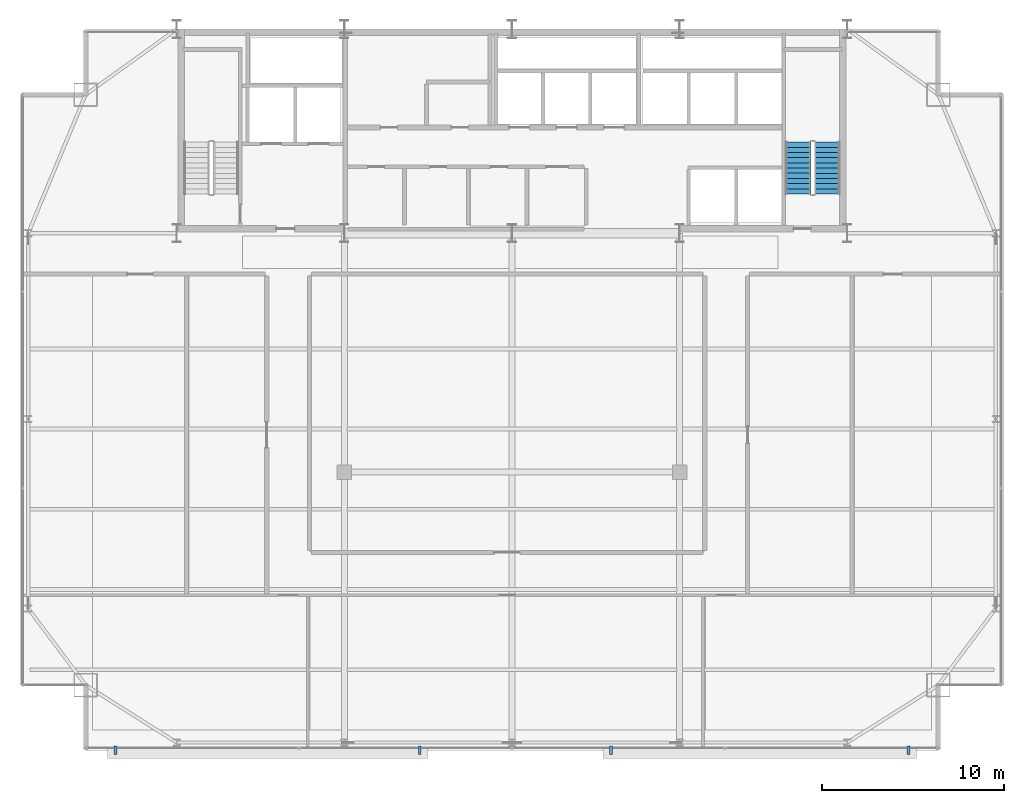
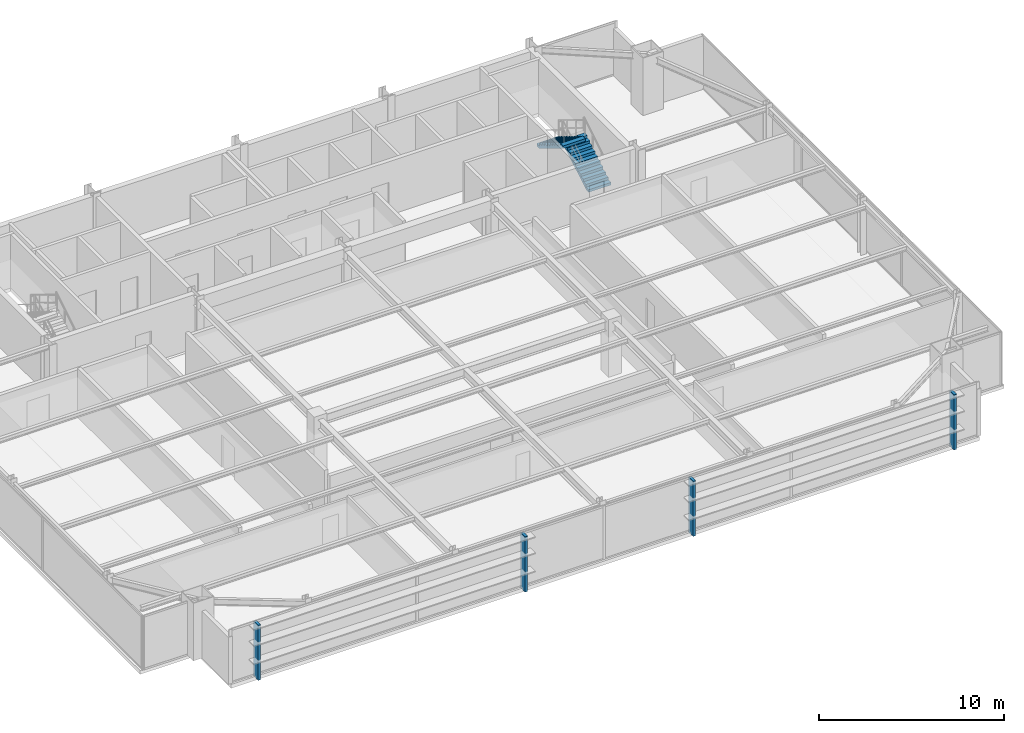
# One storey, part 27 of 29: 4 discrete accessories, 2 stair flights, 1 element without a shape of its own.
"""IFC4 building model written with IfcOpenShell, lengths in metres."""

from ifc_helpers import new_model, si_unit, direction, frame, origin, origin_2d, place, context, subcontext, project, spatial, polyline, rectangle, outline, extrude, source, transform, mapped, material, layer, layer_set, type_object, type_shapes, element, aggregate, save


model = new_model("IFC4")

# Units and contexts
model_context = context("Model", 3, precision=1e-05, world=origin(), true_north=direction((0.0, 1.0)))
body_context = subcontext(model_context, "Body", "Model", "MODEL_VIEW")
ifc_project = project(units=[si_unit("LENGTHUNIT", "METRE"), si_unit("AREAUNIT", "SQUARE_METRE"), si_unit("VOLUMEUNIT", "CUBIC_METRE"), si_unit("PLANEANGLEUNIT", "RADIAN"), si_unit("MASSUNIT", "GRAM", prefix="KILO")], contexts=[model_context])

# Site, building, storey
site_placement = place(None, origin())
site = spatial("IfcSite", under=ifc_project, at=site_placement, CompositionType="ELEMENT")
building_placement = place(site_placement, origin())
building = spatial("IfcBuilding", under=site, at=building_placement, Name="Varnel Quay Broadcast Tower", CompositionType="ELEMENT")
storey_placement = place(building_placement, frame((0.0, 0.0, 172.39990234375)))
storey = spatial("IfcBuildingStorey", under=building, at=storey_placement, Name="L42", CompositionType="ELEMENT", Elevation=172.39990234375)

# Stair, stair flights
ifc_material_1 = material(Name="Precast Structural Concrete C40/50", Category="concrete")
stair_type = type_object("IfcStairType", Name="Stair_ST-02", PredefinedType="HALF_TURN_STAIR", material=ifc_material_1)
stair_placement = place(storey_placement, origin())
stair = element("IfcStair", 1, at=stair_placement, inside=storey, type_object=stair_type, Name="L42 East Core Exit Stair 2", PredefinedType="HALF_TURN_STAIR")
stair_flight_type = type_object("IfcStairFlightType", Name="Flight_ST-02", PredefinedType="STRAIGHT", material=ifc_material_1)
stair_flight_1_placement = place(storey_placement, frame((51.300048828125, 37.75, 0.0), z_axis=(0.0, 0.0, 1.0), x_axis=(0.0, 1.0, 0.0)))
stair_flight_1 = element("IfcStairFlight", 2, at=stair_flight_1_placement, type_object=stair_flight_type, Name="ST-02 flight 1", NumberOfRisers=11, NumberOfTreads=10, PredefinedType="STRAIGHT", RiserHeight=0.172727273, TreadLength=0.285, context=body_context, shape_type="SweptSolid", body=[
    extrude(outline(polyline([(0.0, 0.0), (0.0, 0.172607421875), (0.284912109375, 0.172607421875), (0.284912109375, 0.345458984375), (0.570068359375, 0.345458984375), (0.570068359375, 0.51806640625), (0.85498046875, 0.51806640625), (0.85498046875, 0.69091796875), (1.139892578125, 0.69091796875), (1.139892578125, 0.863525390625), (1.425048828125, 0.863525390625), (1.425048828125, 1.036376953125), (1.7099609375, 1.036376953125), (1.7099609375, 1.208984375), (1.9951171875, 1.208984375), (1.9951171875, 1.3818359375), (2.280029296875, 1.3818359375), (2.280029296875, 1.554443359375), (2.56494140625, 1.554443359375), (2.56494140625, 1.727294921875), (2.85009765625, 1.727294921875), (2.85009765625, 1.89990234375), (2.85009765625, 1.552001953125), (0.289306640625, 0.0), (0.0, 0.0)])), frame((0.0, 0.699951171875, 0.0), z_axis=(0.0, -1.0, 0.0), x_axis=(1.0, 0.0, 0.0)), (0.0, 0.0, 1.0), 1.39990234375),
])
stair_flight_2_placement = place(storey_placement, frame((49.699951171875, 40.60009765625, 1.900146484375), z_axis=(0.0, 0.0, 1.0), x_axis=(0.0, -1.0, 0.0)))
stair_flight_2 = element("IfcStairFlight", 3, at=stair_flight_2_placement, type_object=stair_flight_type, Name="ST-02 flight 2", NumberOfRisers=11, NumberOfTreads=10, PredefinedType="STRAIGHT", RiserHeight=0.172727273, TreadLength=0.285, context=body_context, shape_type="SweptSolid", body=[
    extrude(outline(polyline([(0.0, 0.0), (0.0, 0.172607421875), (0.284912109375, 0.172607421875), (0.284912109375, 0.345458984375), (0.570068359375, 0.345458984375), (0.570068359375, 0.51806640625), (0.85498046875, 0.51806640625), (0.85498046875, 0.69091796875), (1.139892578125, 0.69091796875), (1.139892578125, 0.863525390625), (1.425048828125, 0.863525390625), (1.425048828125, 1.036376953125), (1.7099609375, 1.036376953125), (1.7099609375, 1.208984375), (1.9951171875, 1.208984375), (1.9951171875, 1.3818359375), (2.280029296875, 1.3818359375), (2.280029296875, 1.554443359375), (2.56494140625, 1.554443359375), (2.56494140625, 1.727294921875), (2.85009765625, 1.727294921875), (2.85009765625, 1.89990234375), (2.85009765625, 1.552001953125), (0.289306640625, 0.0), (0.0, 0.0)])), frame((0.0, 0.699951171875, 0.0), z_axis=(0.0, -1.0, 0.0), x_axis=(1.0, 0.0, 0.0)), (0.0, 0.0, 1.0), 1.39990234375),
])
aggregate(stair, [stair_flight_1, stair_flight_2])

# Discrete accessories
ifc_material_2 = material(Name="Anodised Bronze Aluminium 6063-T6", Category="aluminium")
ifc_layer = layer(ifc_material_2, 0.47998046875, Name="Anodised Bronze Aluminium 6063-T6")
ifc_layer_set = layer_set([ifc_layer], Name="Anodised Bronze Aluminium 6063-T6")
discrete_accessory_type = type_object("IfcDiscreteAccessoryType", Name="Acc_FacadeBracket", PredefinedType="BRACKET", material=ifc_layer_set)
shared_shape = source(origin(), body_context, "Body", "SweptSolid", [
    extrude(rectangle(XDim=0.159912109375, YDim=0.47998046875, at=origin_2d()), origin(), (0.0, 0.0, 1.0), 3.64990234375),
])
type_shapes(discrete_accessory_type, [shared_shape])
for number, where, z_axis, x_axis, name in (
    (4, (12.25, 7.219970703125, -0.14990234375), (0.0, 0.0, 1.0), (1.0, 0.0, 0.0), "L42 Lobe 1 Louvre Support Bracket 1"),
    (5, (28.93701171875, 7.219970703125, -0.14990234375), (0.0, 0.0, 1.0), (1.0, 0.0, 0.0), "L42 Lobe 1 Louvre Support Bracket 2"),
    (6, (39.43701171875, 7.219970703125, -0.14990234375), (0.0, 0.0, 1.0), (1.0, 0.0, 0.0), "L42 Lobe 2 Louvre Support Bracket 1"),
    (7, (55.75, 7.219970703125, -0.14990234375), (0.0, 0.0, 1.0), (1.0, 0.0, 0.0), "L42 Lobe 2 Louvre Support Bracket 2"),
):
    element("IfcDiscreteAccessory", number, at=place(storey_placement, frame(where, z_axis=z_axis, x_axis=x_axis)), inside=storey, type_object=discrete_accessory_type, Name=name, PredefinedType="BRACKET", context=body_context, shape_type="MappedRepresentation", body=[
        mapped(shared_shape, transform((0.0, 0.0, 0.0), x_axis=(1.0, 0.0, 0.0), y_axis=(0.0, 1.0, 0.0), z_axis=(0.0, 0.0, 1.0), scale=1.0)),
    ])

save(model, "model.ifc")
